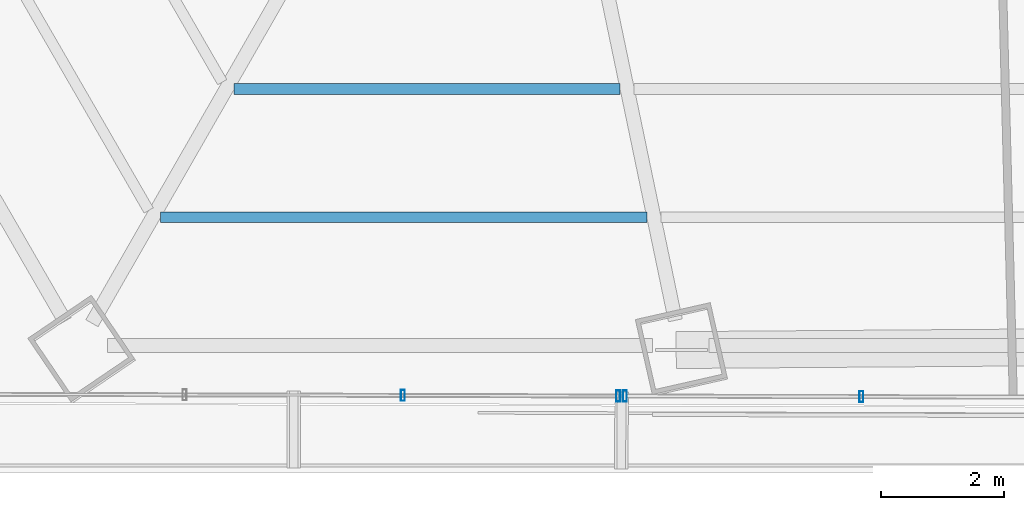
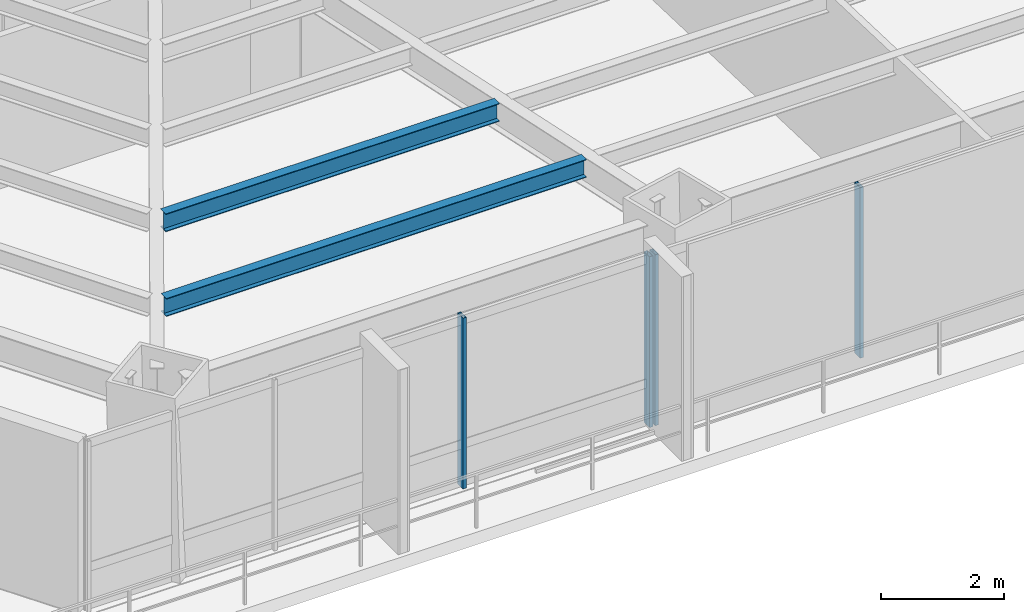
# One storey, part 6 of 35: 4 members, 2 beams, 2 elements without a shape of their own.
"""IFC4 building model written with IfcOpenShell, lengths in metres."""

import ifcopenshell
import ifcopenshell.guid

model = None  # the IFC model being written
_history = None  # IfcOwnerHistory: only IFC2X3 demands one
_inside = {}  # id of a spatial element -> (the spatial element, [elements in it])
_under = {}  # id of a project, library or spatial element -> (it, [spatial elements below it])
_declared = {}  # id of a project -> (the project, [libraries it declares])
_typed = {}  # id of a type object -> (the type object, [elements of that type])
_made_of = {}  # id of a material, layer set ... -> (it, [elements and type objects made of it])


def new_model(schema):
    """Start an empty IFC model of exactly this schema.

    Asked for "IFC4X3", IfcOpenShell would pick the latest addendum, in which some entities
    have other attributes; the version numbers below select the first issue.
    IFC2X3 requires an IfcOwnerHistory on every rooted entity: one is made here for all.
    """
    global model, _history
    if schema == "IFC4X3":
        model = ifcopenshell.file(schema_version=(4, 3, 0, 0))
    else:
        model = ifcopenshell.file(schema=schema)
    _inside.clear()
    _under.clear()
    _declared.clear()
    _typed.clear()
    _made_of.clear()
    _history = None
    if model.schema == "IFC2X3":
        org = make("IfcOrganization", Name="unknown")
        user = make(
            "IfcPersonAndOrganization",
            ThePerson=make("IfcPerson", FamilyName="unknown"),
            TheOrganization=org,
        )
        app = make(
            "IfcApplication",
            ApplicationDeveloper=org,
            Version="unknown",
            ApplicationFullName="unknown",
            ApplicationIdentifier="unknown",
        )
        _history = make(
            "IfcOwnerHistory",
            OwningUser=user,
            OwningApplication=app,
            ChangeAction="ADDED",
            CreationDate=0,
        )
    return model


def make(cls, **values):
    """One entity of the class cls with the attributes given. An attribute that is None is left unset."""
    return model.create_entity(
        cls, **{name: value for name, value in values.items() if value is not None}
    )


def rooted(cls, **values):
    """An entity with a GlobalId (a new one), such as an element, a storey or a relation."""
    return make(cls, GlobalId=ifcopenshell.guid.new(), OwnerHistory=_history, **values)


def si_unit(unit_type, name, prefix=None):
    """IfcSIUnit, for example si_unit("LENGTHUNIT", "METRE", prefix="MILLI")."""
    return make("IfcSIUnit", UnitType=unit_type, Prefix=prefix, Name=name)


def assignment(units):
    """IfcUnitAssignment: the units of a project."""
    return None if units is None else make("IfcUnitAssignment", Units=units)


def point(xyz):
    """IfcCartesianPoint."""
    return None if xyz is None else make("IfcCartesianPoint", Coordinates=xyz)


def direction(xyz):
    """IfcDirection."""
    return None if xyz is None else make("IfcDirection", DirectionRatios=xyz)


def frame(location, z_axis=None, x_axis=None):
    """IfcAxis2Placement3D, a coordinate frame: its origin and axes. An axis left out is left unset."""
    return make(
        "IfcAxis2Placement3D",
        Location=point(location),
        Axis=direction(z_axis),
        RefDirection=direction(x_axis),
    )


def frame_2d(location, x_axis=None):
    """IfcAxis2Placement2D, a coordinate frame in the plane: its origin and x axis."""
    return make(
        "IfcAxis2Placement2D", Location=point(location), RefDirection=direction(x_axis)
    )


def origin():
    """The frame at (0, 0, 0) with its axes left unset."""
    return frame((0.0, 0.0, 0.0))


def origin_2d():
    """The frame at (0, 0) in the plane with its x axis left unset."""
    return frame_2d((0.0, 0.0))


def place(relative_to, where):
    """IfcLocalPlacement: puts the frame where relative to a parent placement (None: the world)."""
    return make(
        "IfcLocalPlacement", PlacementRelTo=relative_to, RelativePlacement=where
    )


def context(
    kind, dimensions, precision=None, world=None, true_north=None, identifier=None
):
    """IfcGeometricRepresentationContext, for example the 3D "Model" context."""
    return make(
        "IfcGeometricRepresentationContext",
        ContextIdentifier=identifier,
        ContextType=kind,
        CoordinateSpaceDimension=dimensions,
        Precision=precision,
        WorldCoordinateSystem=world,
        TrueNorth=true_north,
    )


def subcontext(parent, identifier, kind, view, scale=None):
    """IfcGeometricRepresentationSubContext, for example "Body" below "Model"."""
    return make(
        "IfcGeometricRepresentationSubContext",
        ContextIdentifier=identifier,
        ContextType=kind,
        ParentContext=parent,
        TargetScale=scale,
        TargetView=view,
    )


def project(units=None, contexts=None):
    """IfcProject with its units and contexts."""
    return rooted(
        "IfcProject",
        Name="project",
        RepresentationContexts=contexts,
        UnitsInContext=assignment(units),
    )


def spatial(cls, under=None, at=None, **own):
    """A site, building, storey or space (cls), placed at a placement, below another one or the project."""
    s = rooted(cls, ObjectPlacement=at, **own)
    if under is not None:
        _under.setdefault(under.id(), (under, []))[1].append(s)
    return s


def profile(cls, at=None, kind="AREA", **sizes):
    """A parametric profile (cls). Its sizes go by their IFC names, for example OverallWidth=200.0."""
    return make(cls, ProfileType=kind, Position=at, **sizes)


def hollow_rectangle(**sizes):
    """IfcRectangleHollowProfileDef."""
    return profile("IfcRectangleHollowProfileDef", **sizes)


def i_section(**sizes):
    """IfcIShapeProfileDef."""
    return profile("IfcIShapeProfileDef", **sizes)


def extrude(swept, where, along, depth):
    """IfcExtrudedAreaSolid: the profile swept, set in the frame where, extruded along a direction by depth."""
    return make(
        "IfcExtrudedAreaSolid",
        SweptArea=swept,
        Position=where,
        ExtrudedDirection=direction(along),
        Depth=depth,
    )


def shape(context_of_items, identifier, shape_type, items):
    """IfcShapeRepresentation: the items that make up one representation, for example the "Body"."""
    return make(
        "IfcShapeRepresentation",
        ContextOfItems=context_of_items,
        RepresentationIdentifier=identifier,
        RepresentationType=shape_type,
        Items=items,
    )


def source(mapping_origin, context_of_items, identifier, shape_type, items):
    """IfcRepresentationMap: a shape defined once, which mapped items show again and again."""
    return make(
        "IfcRepresentationMap",
        MappingOrigin=mapping_origin,
        MappedRepresentation=shape(context_of_items, identifier, shape_type, items),
    )


def transform(
    local_origin,
    x_axis=None,
    y_axis=None,
    z_axis=None,
    scale=None,
    scale2=None,
    scale3=None,
    uniform=True,
):
    """IfcCartesianTransformationOperator3D, or its non-uniform kind. x_axis, y_axis, z_axis: its Axis1, 2, 3."""
    if uniform:
        return make(
            "IfcCartesianTransformationOperator3D",
            Axis1=direction(x_axis),
            Axis2=direction(y_axis),
            LocalOrigin=point(local_origin),
            Scale=scale,
            Axis3=direction(z_axis),
        )
    return make(
        "IfcCartesianTransformationOperator3DnonUniform",
        Axis1=direction(x_axis),
        Axis2=direction(y_axis),
        LocalOrigin=point(local_origin),
        Scale=scale,
        Axis3=direction(z_axis),
        Scale2=scale2,
        Scale3=scale3,
    )


def mapped(mapping_source, mapping_target):
    """IfcMappedItem: shows the shape of a source again, moved by a transform."""
    return make(
        "IfcMappedItem", MappingSource=mapping_source, MappingTarget=mapping_target
    )


def material(Name=None, Category=None):
    """IfcMaterial."""
    return make("IfcMaterial", Name=Name, Category=Category)


def material_profile(
    of_material, cross_section, Name=None, Category=None, Priority=None
):
    """IfcMaterialProfile: a cross section and its material."""
    return make(
        "IfcMaterialProfile",
        Name=Name,
        Material=of_material,
        Profile=cross_section,
        Priority=Priority,
        Category=Category,
    )


def profile_set(profiles, Name=None, composite=None):
    """IfcMaterialProfileSet."""
    return make(
        "IfcMaterialProfileSet",
        Name=Name,
        MaterialProfiles=profiles,
        CompositeProfile=composite,
    )


def made_of(thing, what):
    """Note that an element or type object is made of a material, layer set ...; save() writes the relation."""
    if what is not None:
        _made_of.setdefault(what.id(), (what, []))[1].append(thing)
    return thing


def type_object(cls, material=None, **own):
    """A type object (cls), such as IfcWallType, which elements share."""
    return made_of(rooted(cls, **own), material)


def type_shapes(of_type, sources):
    """Give a type object the sources (RepresentationMaps) that its elements show as mapped items."""
    of_type.RepresentationMaps = sources


def element(
    cls,
    number,
    at=None,
    inside=None,
    cuts=None,
    type_object=None,
    material=None,
    context=None,
    identifier="Body",
    shape_type=None,
    held_by="IfcProductDefinitionShape",
    body=None,
    shapes=None,
    **own,
):
    """One element of the class cls, such as IfcWall. Its Tag is "e" and its number.

    at: its placement. inside: the storey or other place that contains it. cuts: it is an
    opening in that element (IfcRelVoidsElement). A single representation is given by context,
    identifier, shape_type and body (its items); several are given by shapes. held_by: the class
    of the entity that holds the representations. save() writes the other relations.
    """
    e = rooted(cls, Tag="e%d" % number, ObjectPlacement=at, **own)
    if body is not None:
        shapes = [shape(context, identifier, shape_type, body)]
    if shapes is not None:
        e.Representation = make(held_by, Representations=shapes)
    if inside is not None:
        _inside.setdefault(inside.id(), (inside, []))[1].append(e)
    if cuts is not None:
        rooted(
            "IfcRelVoidsElement", RelatingBuildingElement=cuts, RelatedOpeningElement=e
        )
    if type_object is not None:
        _typed.setdefault(type_object.id(), (type_object, []))[1].append(e)
    return made_of(e, material)


def aggregate(whole, parts):
    """IfcRelAggregates: a whole, such as a stair, and the parts it consists of."""
    return rooted("IfcRelAggregates", RelatingObject=whole, RelatedObjects=parts)


def save(model, path):
    """Write the relations noted so far, then the file.

    IfcRelAggregates (storeys below a building ...), IfcRelContainedInSpatialStructure (elements
    in a storey), IfcRelDefinesByType, IfcRelAssociatesMaterial and IfcRelDeclares: one each for
    every whole, place, type object, material and project.
    """
    for whole, parts in _under.values():
        aggregate(whole, parts)
    for where, things in _inside.values():
        rooted(
            "IfcRelContainedInSpatialStructure",
            RelatedElements=things,
            RelatingStructure=where,
        )
    for kind, things in _typed.values():
        rooted("IfcRelDefinesByType", RelatedObjects=things, RelatingType=kind)
    for what, things in _made_of.values():
        rooted("IfcRelAssociatesMaterial", RelatedObjects=things, RelatingMaterial=what)
    for by, libraries in _declared.values():
        rooted("IfcRelDeclares", RelatingContext=by, RelatedDefinitions=libraries)
    model.write(path)


model = new_model("IFC4")

# Units and contexts
model_context = context("Model", 3, precision=1e-05, world=origin(), true_north=direction((0.0, 1.0)))
body_context = subcontext(model_context, "Body", "Model", "MODEL_VIEW")
ifc_project = project(units=[si_unit("LENGTHUNIT", "METRE"), si_unit("AREAUNIT", "SQUARE_METRE"), si_unit("VOLUMEUNIT", "CUBIC_METRE"), si_unit("PLANEANGLEUNIT", "RADIAN"), si_unit("MASSUNIT", "GRAM", prefix="KILO")], contexts=[model_context])

# Site, building, storey
site_placement = place(None, origin())
site = spatial("IfcSite", under=ifc_project, at=site_placement, CompositionType="ELEMENT")
building_placement = place(site_placement, origin())
building = spatial("IfcBuilding", under=site, at=building_placement, Name="Caelisora Broadcast Tower", CompositionType="ELEMENT")
storey_placement = place(building_placement, frame((0.0, 0.0, 27.60009765625)))
storey = spatial("IfcBuildingStorey", under=building, at=storey_placement, Name="L06", CompositionType="ELEMENT", Elevation=27.60009765625)

# Beams
ifc_material_1 = material(Name="Steel Grade 350 (AS/NZS 3679.1)", Category="steel")
ifc_material_profile_1 = material_profile(ifc_material_1, i_section(OverallWidth=0.172119140625, OverallDepth=0.358642578125, WebThickness=0.008056640625, FlangeThickness=0.012939453125, at=origin_2d()), Name="Steel Grade 350 (AS/NZS 3679.1)")
ifc_profile_set_1 = profile_set([ifc_material_profile_1], Name="Steel Grade 350 (AS/NZS 3679.1)")
beam_type = type_object("IfcBeamType", Name="SB02", PredefinedType="JOIST", material=ifc_profile_set_1)
shared_shape_1 = source(origin(), body_context, "Body", "SweptSolid", [
    extrude(i_section(OverallWidth=0.172119140625, OverallDepth=0.358642578125, WebThickness=0.008056640625, FlangeThickness=0.012939453125, at=origin_2d()), origin(), (0.0, 0.0, 1.0), 6.283203125),
])
beam_1_placement = place(storey_placement, frame((25.8408203125, 9.048095703125, 3.220703125), z_axis=(1.0, 0.0, 0.0), x_axis=(0.0, 1.0, 0.0)))
element("IfcBeam", 1, at=beam_1_placement, inside=storey, type_object=beam_type, Name="L06 beam SB02", PredefinedType="JOIST", context=body_context, shape_type="MappedRepresentation", body=[
    mapped(shared_shape_1, transform((0.0, 0.0, 0.0), scale=1.0)),
])
shared_shape_2 = source(origin(), body_context, "Body", "SweptSolid", [
    extrude(i_section(OverallWidth=0.172119140625, OverallDepth=0.358642578125, WebThickness=0.008056640625, FlangeThickness=0.012939453125, at=origin_2d()), origin(), (0.0, 0.0, 1.0), 7.91455078125),
])
type_shapes(beam_type, [shared_shape_1, shared_shape_2])
beam_2_placement = place(storey_placement, frame((24.643798828125, 6.960205078125, 3.220703125), z_axis=(1.0, 0.0, 0.0), x_axis=(0.0, 1.0, 0.0)))
element("IfcBeam", 2, at=beam_2_placement, inside=storey, type_object=beam_type, Name="L06 beam SB02", PredefinedType="JOIST", context=body_context, shape_type="MappedRepresentation", body=[
    mapped(shared_shape_2, transform((0.0, 0.0, 0.0), scale=1.0)),
])

# Curtain wall, members
ifc_material_2 = material(Name="Unitised Aluminium Insulated Shadow-Box Spandrel Curtain Wall", Category="aluminium")
curtain_wall_type_1 = type_object("IfcCurtainWallType", Name="CW-SP1", PredefinedType="NOTDEFINED", material=ifc_material_2)
curtain_wall_1_placement = place(storey_placement, origin())
curtain_wall_1 = element("IfcCurtainWall", 3, at=curtain_wall_1_placement, inside=storey, type_object=curtain_wall_type_1, Name="L06 curtain wall CW-SP1", PredefinedType="NOTDEFINED")
ifc_material_3 = material(Name="Aluminium 6063-T6 Anodised Terracotta Bronze", Category="aluminium")
ifc_material_profile_2 = material_profile(ifc_material_3, hollow_rectangle(XDim=0.06494140625, YDim=0.179931640625, WallThickness=0.00341796875, at=origin_2d()), Name="Aluminium 6063-T6 Anodised Terracotta Bronze")
ifc_profile_set_2 = profile_set([ifc_material_profile_2], Name="Aluminium 6063-T6 Anodised Terracotta Bronze")
member_type = type_object("IfcMemberType", Name="CWM-02", PredefinedType="MULLION", material=ifc_profile_set_2)
shared_shape_3 = source(origin(), body_context, "Body", "SweptSolid", [
    extrude(hollow_rectangle(XDim=0.06494140625, YDim=0.179931640625, WallThickness=0.00341796875, at=origin_2d()), origin(), (0.0, 0.0, 1.0), 3.39990234375),
])
type_shapes(member_type, [shared_shape_3])
member_1_placement = place(storey_placement, frame((36.048828125, 4.04150390625, 0.0), z_axis=(0.0, 0.0, 1.0), x_axis=(1.0, 0.0, 0.0)))
member_1 = element("IfcMember", 4, at=member_1_placement, type_object=member_type, Name="L06-CW-B06 mullion #2", PredefinedType="MULLION", context=body_context, shape_type="MappedRepresentation", body=[
    mapped(shared_shape_3, transform((0.0, 0.0, 0.0), scale=1.0)),
])
member_2_placement = place(storey_placement, frame((32.200439453125, 4.052001953125, 0.0), z_axis=(0.0, 0.0, 1.0), x_axis=(1.0, 0.0, 0.0)))
member_2 = element("IfcMember", 5, at=member_2_placement, type_object=member_type, Name="L06-CW-B06 mullion #3", PredefinedType="MULLION", context=body_context, shape_type="MappedRepresentation", body=[
    mapped(shared_shape_3, transform((0.0, 0.0, 0.0), scale=1.0)),
])
aggregate(curtain_wall_1, [member_1, member_2])

ifc_material_4 = material(Name="Unitised Aluminium and Low-E Glass Curtain Wall", Category="glass")
curtain_wall_type_2 = type_object("IfcCurtainWallType", Name="CW-Z1", PredefinedType="NOTDEFINED", material=ifc_material_4)
curtain_wall_2_placement = place(storey_placement, origin())
curtain_wall_2 = element("IfcCurtainWall", 6, at=curtain_wall_2_placement, inside=storey, type_object=curtain_wall_type_2, Name="L06 curtain wall CW-Z1", PredefinedType="NOTDEFINED")
member_3_placement = place(storey_placement, frame((32.090576171875, 4.05224609375, 0.0), z_axis=(0.0, 0.0, 1.0), x_axis=(1.0, 0.0, 0.0)))
member_3 = element("IfcMember", 7, at=member_3_placement, type_object=member_type, Name="L06-CW-B07 mullion #0", PredefinedType="MULLION", context=body_context, shape_type="MappedRepresentation", body=[
    mapped(shared_shape_3, transform((0.0, 0.0, 0.0), scale=1.0)),
])
member_4_placement = place(storey_placement, frame((28.58740234375, 4.061767578125, 0.0), z_axis=(0.0, 0.0, 1.0), x_axis=(1.0, 0.0, 0.0)))
member_4 = element("IfcMember", 8, at=member_4_placement, type_object=member_type, Name="L06-CW-B07 mullion #1", PredefinedType="MULLION", context=body_context, shape_type="MappedRepresentation", body=[
    mapped(shared_shape_3, transform((0.0, 0.0, 0.0), scale=1.0)),
])
aggregate(curtain_wall_2, [member_3, member_4])

save(model, "model.ifc")
